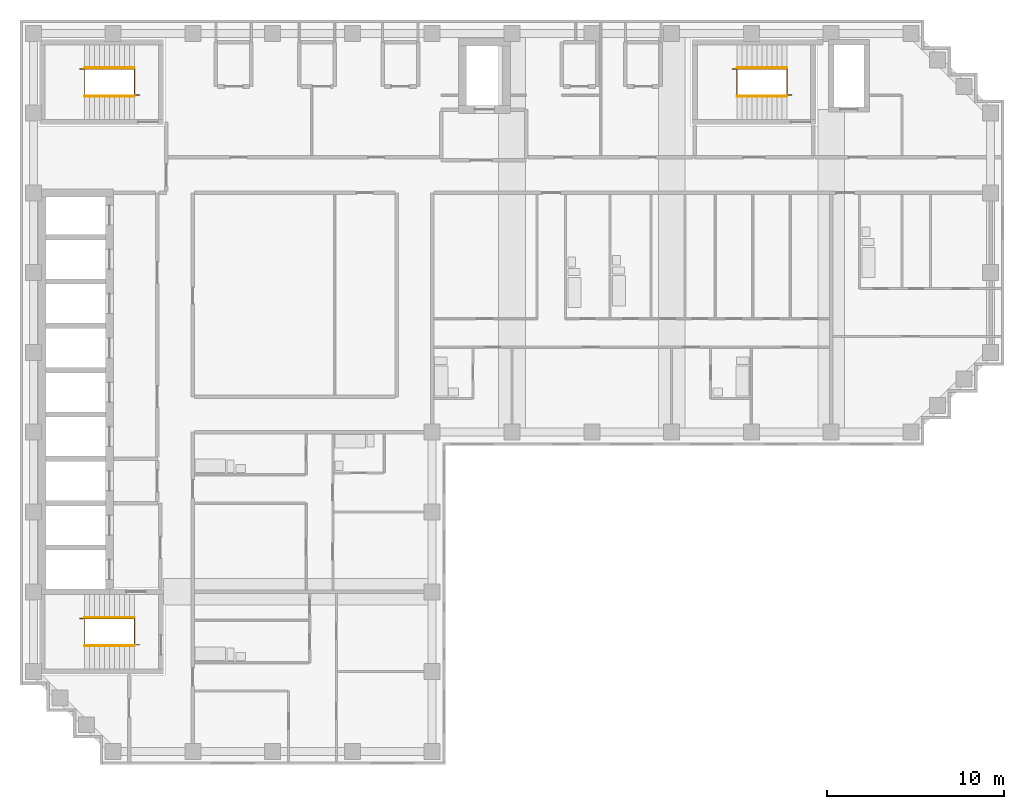
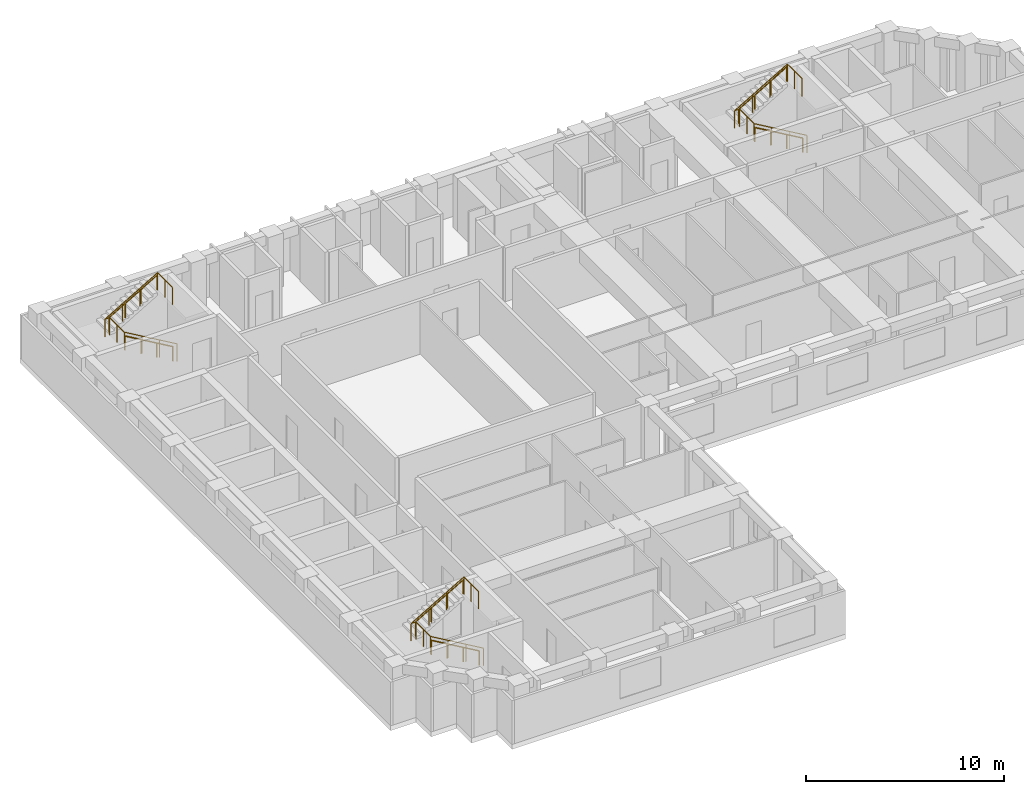
# One storey, part 8 of 9: 9 railings.
"""IFC4 building model written with IfcOpenShell, lengths in metres."""

from ifc_helpers import new_model, si_unit, direction, frame, origin, origin_2d, place, context, subcontext, project, spatial, circle, extrude, material, type_object, element, save


model = new_model("IFC4")

# Units and contexts
model_context = context("Model", 3, precision=1e-05, world=origin(), true_north=direction((0.0, 1.0)))
body_context = subcontext(model_context, "Body", "Model", "MODEL_VIEW")
ifc_project = project(units=[si_unit("LENGTHUNIT", "METRE"), si_unit("AREAUNIT", "SQUARE_METRE"), si_unit("VOLUMEUNIT", "CUBIC_METRE"), si_unit("PLANEANGLEUNIT", "RADIAN"), si_unit("MASSUNIT", "GRAM", prefix="KILO")], contexts=[model_context])

# Site, building, storey
site_placement = place(None, origin())
site = spatial("IfcSite", under=ifc_project, at=site_placement, CompositionType="ELEMENT")
building_placement = place(site_placement, origin())
building = spatial("IfcBuilding", under=site, at=building_placement, Name="Firuza Court", CompositionType="ELEMENT")
storey_placement = place(building_placement, frame((0.0, 0.0, 222.199951171875)))
storey = spatial("IfcBuildingStorey", under=building, at=storey_placement, Name="L57", CompositionType="ELEMENT", Elevation=222.199951171875)

# Railings
ifc_material_1 = material(Name="Steel S355", Category="steel")
railing_type_1 = type_object("IfcRailingType", Name="Handrail 900", PredefinedType="HANDRAIL", material=ifc_material_1)
railing_1_placement = place(storey_placement, frame((42.5, 54.949951171875, 0.16357421875)))
element("IfcRailing", 1, at=railing_1_placement, inside=storey, type_object=railing_type_1, Name="Handrail S1 flight 1", PredefinedType="HANDRAIL", context=body_context, shape_type="SweptSolid", body=[
    extrude(circle(Radius=0.02490234375, at=origin_2d()), frame((0.0, 0.0, 0.875), z_axis=(-0.863360870873, 0.0, 0.504586966384), x_axis=(0.0, -1.0, 0.0)), (0.0, 0.0, 1.0), 3.2431640625),
    extrude(circle(Radius=0.02001953125, at=origin_2d()), origin(), (0.0, 0.0, 1.0), 0.849853515625),
    extrude(circle(Radius=0.02001953125, at=origin_2d()), frame((-0.933349609375, 0.0, 0.54541015625)), (0.0, 0.0, 1.0), 0.849853515625),
    extrude(circle(Radius=0.02001953125, at=origin_2d()), frame((-1.86669921875, 0.0, 1.091064453125)), (0.0, 0.0, 1.0), 0.849853515625),
    extrude(circle(Radius=0.02001953125, at=origin_2d()), frame((-2.800048828125, 0.0, 1.636474609375)), (0.0, 0.0, 1.0), 0.849853515625),
])
railing_2_placement = place(storey_placement, frame((39.699951171875, 56.550048828125, 1.963623046875)))
element("IfcRailing", 2, at=railing_2_placement, inside=storey, type_object=railing_type_1, Name="Handrail S1 flight 2", PredefinedType="HANDRAIL", context=body_context, shape_type="SweptSolid", body=[
    extrude(circle(Radius=0.02490234375, at=origin_2d()), frame((0.0, 0.0, 0.875), z_axis=(0.863360870873, 0.0, 0.504586966384), x_axis=(0.0, 1.0, 0.0)), (0.0, 0.0, 1.0), 3.2431640625),
    extrude(circle(Radius=0.02001953125, at=origin_2d()), origin(), (0.0, 0.0, 1.0), 0.849853515625),
    extrude(circle(Radius=0.02001953125, at=origin_2d()), frame((0.933349609375, 0.0, 0.54541015625)), (0.0, 0.0, 1.0), 0.849853515625),
    extrude(circle(Radius=0.02001953125, at=origin_2d()), frame((1.86669921875, 0.0, 1.091064453125)), (0.0, 0.0, 1.0), 0.849853515625),
    extrude(circle(Radius=0.02001953125, at=origin_2d()), frame((2.800048828125, 0.0, 1.636474609375)), (0.0, 0.0, 1.0), 0.849853515625),
])
railing_3_placement = place(storey_placement, frame((5.699951171875, 23.949951171875, 0.16357421875)))
element("IfcRailing", 3, at=railing_3_placement, inside=storey, type_object=railing_type_1, Name="Handrail S2 flight 1", PredefinedType="HANDRAIL", context=body_context, shape_type="SweptSolid", body=[
    extrude(circle(Radius=0.02490234375, at=origin_2d()), frame((0.0, 0.0, 0.875), z_axis=(-0.863360870873, 0.0, 0.504586966384), x_axis=(0.0, -1.0, 0.0)), (0.0, 0.0, 1.0), 3.2431640625),
    extrude(circle(Radius=0.02001953125, at=origin_2d()), origin(), (0.0, 0.0, 1.0), 0.849853515625),
    extrude(circle(Radius=0.02001953125, at=origin_2d()), frame((-0.933349609375, 0.0, 0.54541015625)), (0.0, 0.0, 1.0), 0.849853515625),
    extrude(circle(Radius=0.02001953125, at=origin_2d()), frame((-1.86669921875, 0.0, 1.091064453125)), (0.0, 0.0, 1.0), 0.849853515625),
    extrude(circle(Radius=0.02001953125, at=origin_2d()), frame((-2.800048828125, 0.0, 1.636474609375)), (0.0, 0.0, 1.0), 0.849853515625),
])
railing_4_placement = place(storey_placement, frame((2.89990234375, 25.550048828125, 1.963623046875)))
element("IfcRailing", 4, at=railing_4_placement, inside=storey, type_object=railing_type_1, Name="Handrail S2 flight 2", PredefinedType="HANDRAIL", context=body_context, shape_type="SweptSolid", body=[
    extrude(circle(Radius=0.02490234375, at=origin_2d()), frame((0.0, 0.0, 0.875), z_axis=(0.863360870873, 0.0, 0.504586966384), x_axis=(0.0, 1.0, 0.0)), (0.0, 0.0, 1.0), 3.2431640625),
    extrude(circle(Radius=0.02001953125, at=origin_2d()), origin(), (0.0, 0.0, 1.0), 0.849853515625),
    extrude(circle(Radius=0.02001953125, at=origin_2d()), frame((0.933349609375, 0.0, 0.54541015625)), (0.0, 0.0, 1.0), 0.849853515625),
    extrude(circle(Radius=0.02001953125, at=origin_2d()), frame((1.86669921875, 0.0, 1.091064453125)), (0.0, 0.0, 1.0), 0.849853515625),
    extrude(circle(Radius=0.02001953125, at=origin_2d()), frame((2.800048828125, 0.0, 1.636474609375)), (0.0, 0.0, 1.0), 0.849853515625),
])
railing_5_placement = place(storey_placement, frame((5.699951171875, 54.949951171875, 0.16357421875)))
element("IfcRailing", 5, at=railing_5_placement, inside=storey, type_object=railing_type_1, Name="Handrail S3 flight 1", PredefinedType="HANDRAIL", context=body_context, shape_type="SweptSolid", body=[
    extrude(circle(Radius=0.02490234375, at=origin_2d()), frame((0.0, 0.0, 0.875), z_axis=(-0.863360870873, 0.0, 0.504586966384), x_axis=(0.0, -1.0, 0.0)), (0.0, 0.0, 1.0), 3.2431640625),
    extrude(circle(Radius=0.02001953125, at=origin_2d()), origin(), (0.0, 0.0, 1.0), 0.849853515625),
    extrude(circle(Radius=0.02001953125, at=origin_2d()), frame((-0.933349609375, 0.0, 0.54541015625)), (0.0, 0.0, 1.0), 0.849853515625),
    extrude(circle(Radius=0.02001953125, at=origin_2d()), frame((-1.86669921875, 0.0, 1.091064453125)), (0.0, 0.0, 1.0), 0.849853515625),
    extrude(circle(Radius=0.02001953125, at=origin_2d()), frame((-2.800048828125, 0.0, 1.636474609375)), (0.0, 0.0, 1.0), 0.849853515625),
])
railing_6_placement = place(storey_placement, frame((2.89990234375, 56.550048828125, 1.963623046875)))
element("IfcRailing", 6, at=railing_6_placement, inside=storey, type_object=railing_type_1, Name="Handrail S3 flight 2", PredefinedType="HANDRAIL", context=body_context, shape_type="SweptSolid", body=[
    extrude(circle(Radius=0.02490234375, at=origin_2d()), frame((0.0, 0.0, 0.875), z_axis=(0.863360870873, 0.0, 0.504586966384), x_axis=(0.0, 1.0, 0.0)), (0.0, 0.0, 1.0), 3.2431640625),
    extrude(circle(Radius=0.02001953125, at=origin_2d()), origin(), (0.0, 0.0, 1.0), 0.849853515625),
    extrude(circle(Radius=0.02001953125, at=origin_2d()), frame((0.933349609375, 0.0, 0.54541015625)), (0.0, 0.0, 1.0), 0.849853515625),
    extrude(circle(Radius=0.02001953125, at=origin_2d()), frame((1.86669921875, 0.0, 1.091064453125)), (0.0, 0.0, 1.0), 0.849853515625),
    extrude(circle(Radius=0.02001953125, at=origin_2d()), frame((2.800048828125, 0.0, 1.636474609375)), (0.0, 0.0, 1.0), 0.849853515625),
])
ifc_material_2 = material(Name="Steel S355", Category="steel")
railing_type_2 = type_object("IfcRailingType", Name="Stair guard 1100", PredefinedType="GUARDRAIL", material=ifc_material_2)
railing_7_placement = place(storey_placement, frame((42.780029296875, 55.010009765625, 0.0)))
element("IfcRailing", 7, at=railing_7_placement, inside=storey, type_object=railing_type_2, Name="Stair well guard S1", PredefinedType="GUARDRAIL", context=body_context, shape_type="SweptSolid", body=[
    extrude(circle(Radius=0.02490234375, at=origin_2d()), frame((0.0, 0.0, 1.0751953125), z_axis=(-0.863371556955, 0.0, 0.504568681787), x_axis=(0.0, -1.0, 0.0)), (0.0, 0.0, 1.0), 3.5673828125),
    extrude(circle(Radius=0.02490234375, at=origin_2d()), frame((-3.080078125, 0.0, 2.875), z_axis=(0.0, 1.0, 0.0), x_axis=(-1.0, 0.0, 0.0)), (0.0, 0.0, 1.0), 1.47998046875),
    extrude(circle(Radius=0.02490234375, at=origin_2d()), frame((-3.080078125, 1.47998046875, 2.875), z_axis=(-1.0, 0.0, 0.0), x_axis=(0.0, -1.0, 0.0)), (0.0, 0.0, 1.0), 0.280029296875),
    extrude(circle(Radius=0.02490234375, at=origin_2d()), frame((-3.360107421875, 1.47998046875, 2.875), z_axis=(0.863371556955, 0.0, 0.504568681787), x_axis=(0.0, 1.0, 0.0)), (0.0, 0.0, 1.0), 3.5673828125),
    extrude(circle(Radius=0.02490234375, at=origin_2d()), frame((-0.280029296875, 1.47998046875, 4.67529296875), z_axis=(0.0, -1.0, 0.0), x_axis=(1.0, 0.0, 0.0)), (0.0, 0.0, 1.0), 1.47998046875),
    extrude(circle(Radius=0.02490234375, at=origin_2d()), origin(), (0.0, 0.0, 1.0), 1.050048828125),
    extrude(circle(Radius=0.02490234375, at=origin_2d()), frame((-1.026611328125, 0.0, 0.60009765625)), (0.0, 0.0, 1.0), 1.050048828125),
    extrude(circle(Radius=0.02490234375, at=origin_2d()), frame((-2.053466796875, 0.0, 1.199951171875)), (0.0, 0.0, 1.0), 1.050048828125),
    extrude(circle(Radius=0.02490234375, at=origin_2d()), frame((-3.080078125, 0.0, 1.800048828125)), (0.0, 0.0, 1.0), 1.050048828125),
    extrude(circle(Radius=0.02490234375, at=origin_2d()), frame((-3.080078125, 0.739990234375, 1.800048828125)), (0.0, 0.0, 1.0), 1.050048828125),
    extrude(circle(Radius=0.02490234375, at=origin_2d()), frame((-3.080078125, 1.47998046875, 1.800048828125)), (0.0, 0.0, 1.0), 1.050048828125),
    extrude(circle(Radius=0.02490234375, at=origin_2d()), frame((-3.360107421875, 1.47998046875, 1.800048828125)), (0.0, 0.0, 1.0), 1.050048828125),
    extrude(circle(Radius=0.02490234375, at=origin_2d()), frame((-2.33349609375, 1.47998046875, 2.400146484375)), (0.0, 0.0, 1.0), 1.050048828125),
    extrude(circle(Radius=0.02490234375, at=origin_2d()), frame((-1.306640625, 1.47998046875, 3.0)), (0.0, 0.0, 1.0), 1.050048828125),
    extrude(circle(Radius=0.02490234375, at=origin_2d()), frame((-0.280029296875, 1.47998046875, 3.60009765625)), (0.0, 0.0, 1.0), 1.050048828125),
    extrude(circle(Radius=0.02490234375, at=origin_2d()), frame((-0.280029296875, 0.739990234375, 3.60009765625)), (0.0, 0.0, 1.0), 1.050048828125),
    extrude(circle(Radius=0.02490234375, at=origin_2d()), frame((-0.280029296875, 0.0, 3.60009765625)), (0.0, 0.0, 1.0), 1.050048828125),
])
railing_8_placement = place(storey_placement, frame((5.97998046875, 24.010009765625, 0.0)))
element("IfcRailing", 8, at=railing_8_placement, inside=storey, type_object=railing_type_2, Name="Stair well guard S2", PredefinedType="GUARDRAIL", context=body_context, shape_type="SweptSolid", body=[
    extrude(circle(Radius=0.02490234375, at=origin_2d()), frame((0.0, 0.0, 1.0751953125), z_axis=(-0.863371556955, 0.0, 0.504568681787), x_axis=(0.0, -1.0, 0.0)), (0.0, 0.0, 1.0), 3.5673828125),
    extrude(circle(Radius=0.02490234375, at=origin_2d()), frame((-3.080078125, 0.0, 2.875), z_axis=(0.0, 1.0, 0.0), x_axis=(-1.0, 0.0, 0.0)), (0.0, 0.0, 1.0), 1.47998046875),
    extrude(circle(Radius=0.02490234375, at=origin_2d()), frame((-3.080078125, 1.47998046875, 2.875), z_axis=(-1.0, 0.0, 0.0), x_axis=(0.0, -1.0, 0.0)), (0.0, 0.0, 1.0), 0.27978515625),
    extrude(circle(Radius=0.02490234375, at=origin_2d()), frame((-3.35986328125, 1.47998046875, 2.875), z_axis=(0.863354132664, 0.0, 0.504598495452), x_axis=(0.0, 1.0, 0.0)), (0.0, 0.0, 1.0), 3.5673828125),
    extrude(circle(Radius=0.02490234375, at=origin_2d()), frame((-0.280029296875, 1.47998046875, 4.67529296875), z_axis=(0.0, -1.0, 0.0), x_axis=(1.0, 0.0, 0.0)), (0.0, 0.0, 1.0), 1.47998046875),
    extrude(circle(Radius=0.02490234375, at=origin_2d()), origin(), (0.0, 0.0, 1.0), 1.050048828125),
    extrude(circle(Radius=0.02490234375, at=origin_2d()), frame((-1.026611328125, 0.0, 0.60009765625)), (0.0, 0.0, 1.0), 1.050048828125),
    extrude(circle(Radius=0.02490234375, at=origin_2d()), frame((-2.053466796875, 0.0, 1.199951171875)), (0.0, 0.0, 1.0), 1.050048828125),
    extrude(circle(Radius=0.02490234375, at=origin_2d()), frame((-3.080078125, 0.0, 1.800048828125)), (0.0, 0.0, 1.0), 1.050048828125),
    extrude(circle(Radius=0.02490234375, at=origin_2d()), frame((-3.080078125, 0.739990234375, 1.800048828125)), (0.0, 0.0, 1.0), 1.050048828125),
    extrude(circle(Radius=0.02490234375, at=origin_2d()), frame((-3.080078125, 1.47998046875, 1.800048828125)), (0.0, 0.0, 1.0), 1.050048828125),
    extrude(circle(Radius=0.02490234375, at=origin_2d()), frame((-3.35986328125, 1.47998046875, 1.800048828125)), (0.0, 0.0, 1.0), 1.050048828125),
    extrude(circle(Radius=0.02490234375, at=origin_2d()), frame((-2.333251953125, 1.47998046875, 2.400146484375)), (0.0, 0.0, 1.0), 1.050048828125),
    extrude(circle(Radius=0.02490234375, at=origin_2d()), frame((-1.306640625, 1.47998046875, 3.0)), (0.0, 0.0, 1.0), 1.050048828125),
    extrude(circle(Radius=0.02490234375, at=origin_2d()), frame((-0.280029296875, 1.47998046875, 3.60009765625)), (0.0, 0.0, 1.0), 1.050048828125),
    extrude(circle(Radius=0.02490234375, at=origin_2d()), frame((-0.280029296875, 0.739990234375, 3.60009765625)), (0.0, 0.0, 1.0), 1.050048828125),
    extrude(circle(Radius=0.02490234375, at=origin_2d()), frame((-0.280029296875, 0.0, 3.60009765625)), (0.0, 0.0, 1.0), 1.050048828125),
])
railing_9_placement = place(storey_placement, frame((5.97998046875, 55.010009765625, 0.0)))
element("IfcRailing", 9, at=railing_9_placement, inside=storey, type_object=railing_type_2, Name="Stair well guard S3", PredefinedType="GUARDRAIL", context=body_context, shape_type="SweptSolid", body=[
    extrude(circle(Radius=0.02490234375, at=origin_2d()), frame((0.0, 0.0, 1.0751953125), z_axis=(-0.863371556955, 0.0, 0.504568681787), x_axis=(0.0, -1.0, 0.0)), (0.0, 0.0, 1.0), 3.5673828125),
    extrude(circle(Radius=0.02490234375, at=origin_2d()), frame((-3.080078125, 0.0, 2.875), z_axis=(0.0, 1.0, 0.0), x_axis=(-1.0, 0.0, 0.0)), (0.0, 0.0, 1.0), 1.47998046875),
    extrude(circle(Radius=0.02490234375, at=origin_2d()), frame((-3.080078125, 1.47998046875, 2.875), z_axis=(-1.0, 0.0, 0.0), x_axis=(0.0, -1.0, 0.0)), (0.0, 0.0, 1.0), 0.27978515625),
    extrude(circle(Radius=0.02490234375, at=origin_2d()), frame((-3.35986328125, 1.47998046875, 2.875), z_axis=(0.863354132664, 0.0, 0.504598495452), x_axis=(0.0, 1.0, 0.0)), (0.0, 0.0, 1.0), 3.5673828125),
    extrude(circle(Radius=0.02490234375, at=origin_2d()), frame((-0.280029296875, 1.47998046875, 4.67529296875), z_axis=(0.0, -1.0, 0.0), x_axis=(1.0, 0.0, 0.0)), (0.0, 0.0, 1.0), 1.47998046875),
    extrude(circle(Radius=0.02490234375, at=origin_2d()), origin(), (0.0, 0.0, 1.0), 1.050048828125),
    extrude(circle(Radius=0.02490234375, at=origin_2d()), frame((-1.026611328125, 0.0, 0.60009765625)), (0.0, 0.0, 1.0), 1.050048828125),
    extrude(circle(Radius=0.02490234375, at=origin_2d()), frame((-2.053466796875, 0.0, 1.199951171875)), (0.0, 0.0, 1.0), 1.050048828125),
    extrude(circle(Radius=0.02490234375, at=origin_2d()), frame((-3.080078125, 0.0, 1.800048828125)), (0.0, 0.0, 1.0), 1.050048828125),
    extrude(circle(Radius=0.02490234375, at=origin_2d()), frame((-3.080078125, 0.739990234375, 1.800048828125)), (0.0, 0.0, 1.0), 1.050048828125),
    extrude(circle(Radius=0.02490234375, at=origin_2d()), frame((-3.080078125, 1.47998046875, 1.800048828125)), (0.0, 0.0, 1.0), 1.050048828125),
    extrude(circle(Radius=0.02490234375, at=origin_2d()), frame((-3.35986328125, 1.47998046875, 1.800048828125)), (0.0, 0.0, 1.0), 1.050048828125),
    extrude(circle(Radius=0.02490234375, at=origin_2d()), frame((-2.333251953125, 1.47998046875, 2.400146484375)), (0.0, 0.0, 1.0), 1.050048828125),
    extrude(circle(Radius=0.02490234375, at=origin_2d()), frame((-1.306640625, 1.47998046875, 3.0)), (0.0, 0.0, 1.0), 1.050048828125),
    extrude(circle(Radius=0.02490234375, at=origin_2d()), frame((-0.280029296875, 1.47998046875, 3.60009765625)), (0.0, 0.0, 1.0), 1.050048828125),
    extrude(circle(Radius=0.02490234375, at=origin_2d()), frame((-0.280029296875, 0.739990234375, 3.60009765625)), (0.0, 0.0, 1.0), 1.050048828125),
    extrude(circle(Radius=0.02490234375, at=origin_2d()), frame((-0.280029296875, 0.0, 3.60009765625)), (0.0, 0.0, 1.0), 1.050048828125),
])

save(model, "model.ifc")
